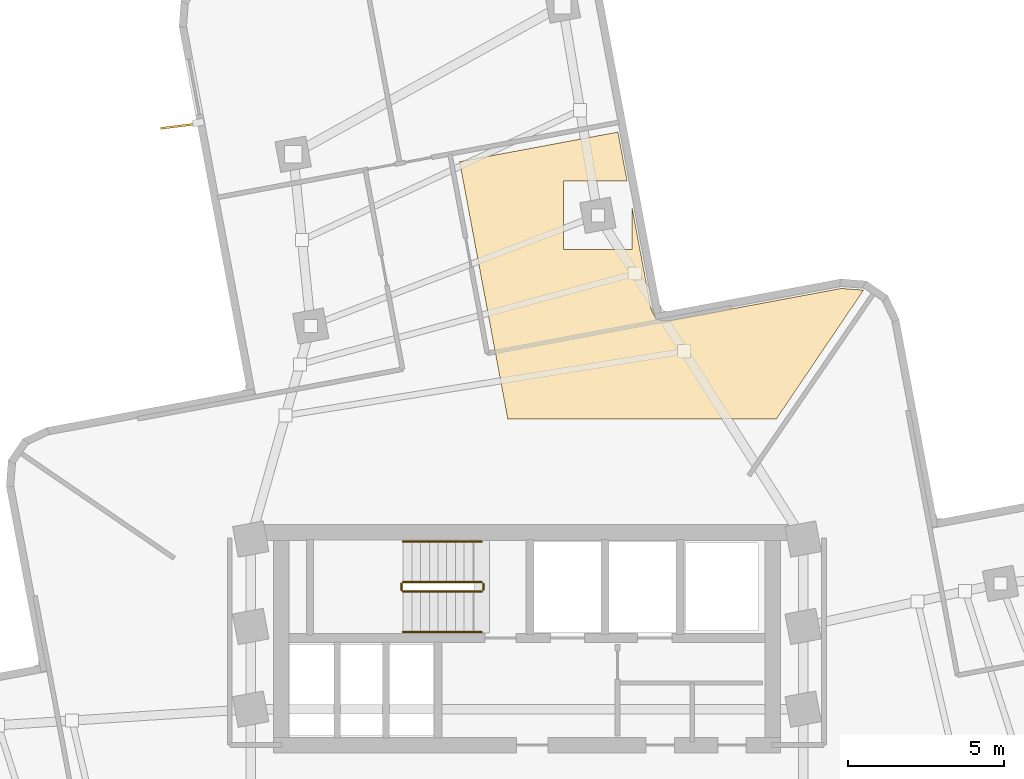
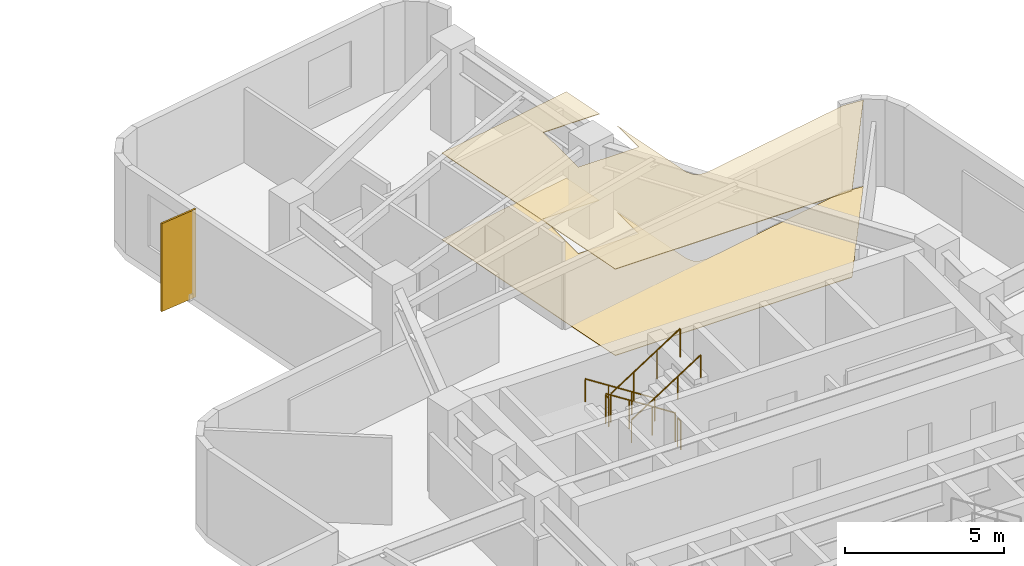
# One storey, part 9 of 9: 6 railings, 2 coverings, 1 shading device.
"""IFC4 building model written with IfcOpenShell, lengths in metres."""

from ifc_helpers import new_model, si_unit, direction, frame, origin, origin_2d, place, context, subcontext, project, spatial, polyline, rectangle, circle, outline, extrude, material, layer, layer_set, type_object, element, save


model = new_model("IFC4")

# Units and contexts
model_context = context("Model", 3, precision=1e-05, world=origin(), true_north=direction((0.0, 1.0)))
body_context = subcontext(model_context, "Body", "Model", "MODEL_VIEW")
ifc_project = project(units=[si_unit("LENGTHUNIT", "METRE"), si_unit("AREAUNIT", "SQUARE_METRE"), si_unit("VOLUMEUNIT", "CUBIC_METRE"), si_unit("PLANEANGLEUNIT", "RADIAN"), si_unit("MASSUNIT", "GRAM", prefix="KILO")], contexts=[model_context])

# Site, building, storey
site_placement = place(None, origin())
site = spatial("IfcSite", under=ifc_project, at=site_placement, CompositionType="ELEMENT")
building_placement = place(site_placement, origin())
building = spatial("IfcBuilding", under=site, at=building_placement, Name="Solmarez Civic Tower", CompositionType="ELEMENT")
storey_placement = place(building_placement, frame((0.0, 0.0, 100.080078125)))
storey = spatial("IfcBuildingStorey", under=building, at=storey_placement, Name="L26", CompositionType="ELEMENT", Elevation=100.080078125)

# Coverings
ifc_material_1 = material(Name="Perforated Mineral-Fibre Acoustic Ceiling")
ifc_layer_1 = layer(ifc_material_1, 0.02490234375)
ifc_layer_set_1 = layer_set([ifc_layer_1], Name="Perforated Mineral-Fibre Acoustic Ceiling")
covering_type_1 = type_object("IfcCoveringType", Name="COV-CEIL-ACOUSTIC", PredefinedType="CEILING", material=ifc_layer_set_1)
covering_1_placement = place(storey_placement, frame((0.0, 0.0, 3.31494140625)))
element("IfcCovering", 1, at=covering_1_placement, inside=storey, type_object=covering_type_1, Name="L26 Suspended Acoustic Ceiling 1", PredefinedType="CEILING", context=body_context, shape_type="SweptSolid", body=[
    extrude(outline(polyline([(-0.614013671875, 12.199951171875), (7.990966796875, 12.199951171875), (10.781005859375, 16.322998046875), (10.77490234375, 16.326904296875), (10.069091796875, 16.381103515625), (4.56396484375, 15.35205078125), (4.554931640625, 15.35009765625), (4.548095703125, 15.34912109375), (4.51708984375, 15.346923828125), (4.5029296875, 15.346923828125), (4.486083984375, 15.347900390625), (4.31494140625, 15.361083984375), (4.304931640625, 15.362060546875), (4.297119140625, 15.363037109375), (4.280029296875, 15.364990234375), (4.263916015625, 15.368896484375), (4.257080078125, 15.37109375), (4.25, 15.373046875), (4.222900390625, 15.383056640625), (4.216064453125, 15.385986328125), (4.194091796875, 15.39697265625), (4.18701171875, 15.40087890625), (4.174072265625, 15.408935546875), (4.16796875, 15.4130859375), (4.14892578125, 15.427001953125), (4.14306640625, 15.431884765625), (4.136962890625, 15.43701171875), (4.1220703125, 15.450927734375), (4.10693359375, 15.467041015625), (4.09912109375, 15.47802734375), (4.0869140625, 15.493896484375), (4.075927734375, 15.511962890625), (4.06591796875, 15.533935546875), (3.992919921875, 15.68408203125), (3.985107421875, 15.701904296875), (3.97802734375, 15.722900390625), (3.97509765625, 15.73291015625), (3.972900390625, 15.739990234375), (3.968994140625, 15.760009765625), (3.37109375, 18.955078125), (3.37109375, 17.6240234375), (1.1708984375, 17.6240234375), (1.1708984375, 19.823974609375), (3.2080078125, 19.823974609375), (2.9150390625, 21.39111328125), (-2.156982421875, 20.44189453125), (-0.614013671875, 12.199951171875)])), origin(), (0.0, 0.0, 1.0), 0.02490234375),
])
ifc_material_2 = material(Name="Polished Tropical Stone Terrazzo Flooring", Category="masonry")
ifc_layer_2 = layer(ifc_material_2, 0.02001953125)
ifc_layer_set_2 = layer_set([ifc_layer_2], Name="Polished Tropical Stone Terrazzo Flooring")
covering_type_2 = type_object("IfcCoveringType", Name="COV-FLOOR-TERRAZZO", PredefinedType="FLOORING", material=ifc_layer_set_2)
covering_2_placement = place(storey_placement, origin())
element("IfcCovering", 2, at=covering_2_placement, inside=storey, type_object=covering_type_2, Name="L26 Terrazzo Floor Finish 1", PredefinedType="FLOORING", context=body_context, shape_type="SweptSolid", body=[
    extrude(outline(polyline([(-0.614013671875, 12.199951171875), (7.990966796875, 12.199951171875), (10.781005859375, 16.322998046875), (10.77490234375, 16.326904296875), (10.069091796875, 16.381103515625), (4.56396484375, 15.35205078125), (4.554931640625, 15.35009765625), (4.548095703125, 15.34912109375), (4.51708984375, 15.346923828125), (4.5029296875, 15.346923828125), (4.486083984375, 15.347900390625), (4.31494140625, 15.361083984375), (4.304931640625, 15.362060546875), (4.297119140625, 15.363037109375), (4.280029296875, 15.364990234375), (4.263916015625, 15.368896484375), (4.257080078125, 15.37109375), (4.25, 15.373046875), (4.222900390625, 15.383056640625), (4.216064453125, 15.385986328125), (4.194091796875, 15.39697265625), (4.18701171875, 15.40087890625), (4.174072265625, 15.408935546875), (4.16796875, 15.4130859375), (4.14892578125, 15.427001953125), (4.14306640625, 15.431884765625), (4.136962890625, 15.43701171875), (4.1220703125, 15.450927734375), (4.10693359375, 15.467041015625), (4.09912109375, 15.47802734375), (4.0869140625, 15.493896484375), (4.075927734375, 15.511962890625), (4.06591796875, 15.533935546875), (3.992919921875, 15.68408203125), (3.985107421875, 15.701904296875), (3.97802734375, 15.722900390625), (3.97509765625, 15.73291015625), (3.972900390625, 15.739990234375), (3.968994140625, 15.760009765625), (3.37109375, 18.955078125), (3.37109375, 17.6240234375), (1.1708984375, 17.6240234375), (1.1708984375, 19.823974609375), (3.2080078125, 19.823974609375), (2.9150390625, 21.39111328125), (-2.156982421875, 20.44189453125), (-0.614013671875, 12.199951171875)])), origin(), (0.0, 0.0, 1.0), 0.02001953125),
])

# Shading device
ifc_material_3 = material(Name="Bronze Anodised Aluminium EN AW-6063 T6", Category="aluminium")
ifc_layer_3 = layer(ifc_material_3, 0.06494140625)
ifc_layer_set_3 = layer_set([ifc_layer_3], Name="Bronze Anodised Aluminium EN AW-6063 T6")
shading_device_type = type_object("IfcShadingDeviceType", Name="FIN-BRONZE-Z12", PredefinedType="USERDEFINED", material=ifc_layer_set_3)
shading_device_placement = place(storey_placement, frame((-11.06494140625, 21.593017578125, -0.0400390625), z_axis=(0.0, 0.0, 1.0), x_axis=(-0.99224757515, -0.124276906979, 0.0)))
element("IfcShadingDevice", 3, at=shading_device_placement, inside=storey, type_object=shading_device_type, Name="L26 Anodised Bronze Solar Fin FIN-L26-04", ObjectType="FIN", PredefinedType="USERDEFINED", context=body_context, shape_type="SweptSolid", body=[
    extrude(rectangle(XDim=1.35009765625, YDim=0.06494140625, at=origin_2d()), origin(), (0.0, 0.0, 1.0), 3.3798828125),
])

# Railings
ifc_material_4 = material(Name="Painted Steel Stairwell Safety Guard", Category="steel")
railing_type_1 = type_object("IfcRailingType", Name="GUARD-STAIR-1120", PredefinedType="BALUSTRADE", material=ifc_material_4)
railing_1_placement = place(storey_placement, frame((-1.449951171875, 6.969970703125, 0.179931640625)))
element("IfcRailing", 4, at=railing_1_placement, inside=storey, type_object=railing_type_1, Name="L26 ST-1 stair guard 1", PredefinedType="BALUSTRADE", context=body_context, shape_type="SweptSolid", body=[
    extrude(circle(Radius=0.02392578125, at=origin_2d()), frame((0.0, 0.0, 1.09619140625), z_axis=(-0.841199657755, 0.0, 0.540724639528), x_axis=(0.0, -1.0, 0.0)), (0.0, 0.0, 1.0), 2.995849609375),
    extrude(circle(Radius=0.02099609375, at=origin_2d()), origin(), (0.0, 0.0, 1.0), 1.072021484375),
    extrude(circle(Radius=0.02099609375, at=origin_2d()), frame((-0.840087890625, 0.0, 0.5400390625)), (0.0, 0.0, 1.0), 1.072021484375),
    extrude(circle(Radius=0.02099609375, at=origin_2d()), frame((-1.679931640625, 0.0, 1.079833984375)), (0.0, 0.0, 1.0), 1.072021484375),
    extrude(circle(Radius=0.02099609375, at=origin_2d()), frame((-2.52001953125, 0.0, 1.619873046875)), (0.0, 0.0, 1.0), 1.072021484375),
])
railing_2_placement = place(storey_placement, frame((-4.02001953125, 6.919921875, 1.7998046875)))
element("IfcRailing", 5, at=railing_2_placement, inside=storey, type_object=railing_type_1, Name="L26 ST-1 stair guard 2", PredefinedType="BALUSTRADE", context=body_context, shape_type="SweptSolid", body=[
    extrude(circle(Radius=0.02392578125, at=origin_2d()), frame((0.0, 0.0, 1.09619140625), z_axis=(0.0, -1.0, 0.0), x_axis=(1.0, 0.0, 0.0)), (0.0, 0.0, 1.0), 0.199951171875),
    extrude(circle(Radius=0.02099609375, at=origin_2d()), origin(), (0.0, 0.0, 1.0), 1.072021484375),
    extrude(circle(Radius=0.02099609375, at=origin_2d()), frame((0.0, -0.199951171875, 0.0)), (0.0, 0.0, 1.0), 1.072021484375),
])
railing_3_placement = place(storey_placement, frame((-3.969970703125, 6.669921875, 1.97998046875)))
element("IfcRailing", 6, at=railing_3_placement, inside=storey, type_object=railing_type_1, Name="L26 ST-1 stair guard 3", PredefinedType="BALUSTRADE", context=body_context, shape_type="SweptSolid", body=[
    extrude(circle(Radius=0.02392578125, at=origin_2d()), frame((0.0, 0.0, 1.09619140625), z_axis=(0.841199657755, 0.0, 0.540724639528), x_axis=(0.0, 1.0, 0.0)), (0.0, 0.0, 1.0), 2.995849609375),
    extrude(circle(Radius=0.02099609375, at=origin_2d()), origin(), (0.0, 0.0, 1.0), 1.072021484375),
    extrude(circle(Radius=0.02099609375, at=origin_2d()), frame((0.840087890625, 0.0, 0.5400390625)), (0.0, 0.0, 1.0), 1.072021484375),
    extrude(circle(Radius=0.02099609375, at=origin_2d()), frame((1.679931640625, 0.0, 1.079833984375)), (0.0, 0.0, 1.0), 1.072021484375),
    extrude(circle(Radius=0.02099609375, at=origin_2d()), frame((2.52001953125, 0.0, 1.619873046875)), (0.0, 0.0, 1.0), 1.072021484375),
])
railing_4_placement = place(storey_placement, frame((-1.39990234375, 6.919921875, 0.0)))
element("IfcRailing", 7, at=railing_4_placement, inside=storey, type_object=railing_type_1, Name="L26 ST-1 stair guard 4", PredefinedType="BALUSTRADE", context=body_context, shape_type="SweptSolid", body=[
    extrude(circle(Radius=0.02392578125, at=origin_2d()), frame((0.0, 0.0, 1.09619140625), z_axis=(0.0, -1.0, 0.0), x_axis=(1.0, 0.0, 0.0)), (0.0, 0.0, 1.0), 0.199951171875),
    extrude(circle(Radius=0.02099609375, at=origin_2d()), origin(), (0.0, 0.0, 1.0), 1.072021484375),
    extrude(circle(Radius=0.02099609375, at=origin_2d()), frame((0.0, -0.199951171875, 0.0)), (0.0, 0.0, 1.0), 1.072021484375),
])
ifc_material_5 = material(Name="Brushed Stainless Steel Tube Handrail", Category="steel")
railing_type_2 = type_object("IfcRailingType", Name="HANDRAIL-STAIR-900", PredefinedType="HANDRAIL", material=ifc_material_5)
railing_5_placement = place(storey_placement, frame((-1.449951171875, 8.27001953125, 0.179931640625)))
element("IfcRailing", 8, at=railing_5_placement, inside=storey, type_object=railing_type_2, Name="L26 ST-1 stair handrail 1", PredefinedType="HANDRAIL", context=body_context, shape_type="SweptSolid", body=[
    extrude(circle(Radius=0.02392578125, at=origin_2d()), frame((0.0, 0.0, 0.8759765625), z_axis=(-0.841199657755, 0.0, 0.540724639528), x_axis=(0.0, -1.0, 0.0)), (0.0, 0.0, 1.0), 2.995849609375),
    extrude(circle(Radius=0.02099609375, at=origin_2d()), origin(), (0.0, 0.0, 1.0), 0.851806640625),
    extrude(circle(Radius=0.02099609375, at=origin_2d()), frame((-0.840087890625, 0.0, 0.5400390625)), (0.0, 0.0, 1.0), 0.851806640625),
    extrude(circle(Radius=0.02099609375, at=origin_2d()), frame((-1.679931640625, 0.0, 1.079833984375)), (0.0, 0.0, 1.0), 0.851806640625),
    extrude(circle(Radius=0.02099609375, at=origin_2d()), frame((-2.52001953125, 0.0, 1.619873046875)), (0.0, 0.0, 1.0), 0.851806640625),
])
railing_6_placement = place(storey_placement, frame((-3.969970703125, 5.3701171875, 1.97998046875)))
element("IfcRailing", 9, at=railing_6_placement, inside=storey, type_object=railing_type_2, Name="L26 ST-1 stair handrail 2", PredefinedType="HANDRAIL", context=body_context, shape_type="SweptSolid", body=[
    extrude(circle(Radius=0.02392578125, at=origin_2d()), frame((0.0, 0.0, 0.8759765625), z_axis=(0.841199657755, 0.0, 0.540724639528), x_axis=(0.0, 1.0, 0.0)), (0.0, 0.0, 1.0), 2.995849609375),
    extrude(circle(Radius=0.02099609375, at=origin_2d()), origin(), (0.0, 0.0, 1.0), 0.851806640625),
    extrude(circle(Radius=0.02099609375, at=origin_2d()), frame((0.840087890625, 0.0, 0.5400390625)), (0.0, 0.0, 1.0), 0.851806640625),
    extrude(circle(Radius=0.02099609375, at=origin_2d()), frame((1.679931640625, 0.0, 1.079833984375)), (0.0, 0.0, 1.0), 0.851806640625),
    extrude(circle(Radius=0.02099609375, at=origin_2d()), frame((2.52001953125, 0.0, 1.619873046875)), (0.0, 0.0, 1.0), 0.851806640625),
])

save(model, "model.ifc")
